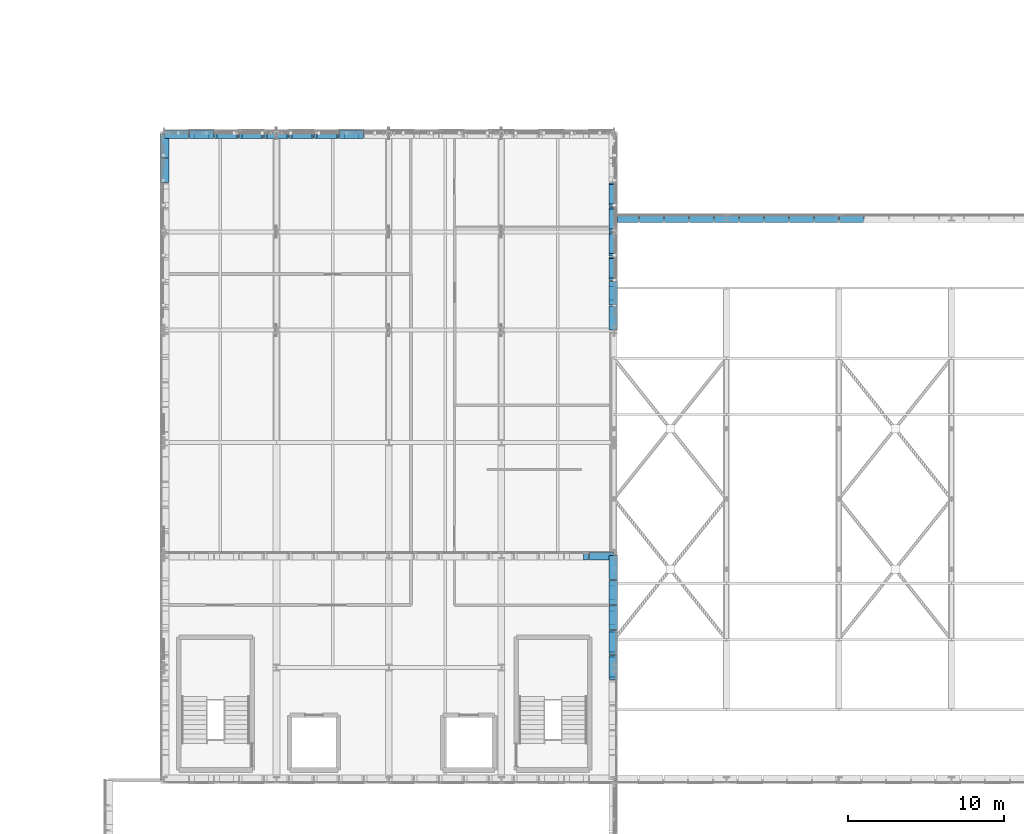
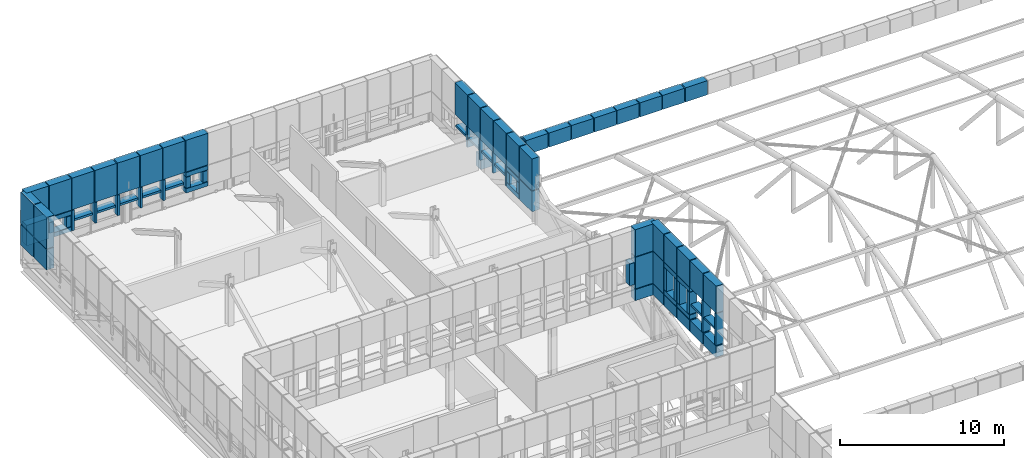
# One storey, part 71 of 96: 87 discrete accessories.
"""IFC4 building model written with IfcOpenShell, lengths in metres."""

from ifc_helpers import new_model, si_unit, direction, frame, origin, origin_2d, place, context, subcontext, project, spatial, rectangle, extrude, material, type_object, element, save


model = new_model("IFC4")

# Units and contexts
model_context = context("Model", 3, precision=1e-05, world=origin(), true_north=direction((0.0, 1.0)))
body_context = subcontext(model_context, "Body", "Model", "MODEL_VIEW")
ifc_project = project(units=[si_unit("LENGTHUNIT", "METRE"), si_unit("AREAUNIT", "SQUARE_METRE"), si_unit("VOLUMEUNIT", "CUBIC_METRE"), si_unit("PLANEANGLEUNIT", "RADIAN"), si_unit("MASSUNIT", "GRAM", prefix="KILO")], contexts=[model_context])

# Site, building, storey
site_placement = place(None, origin())
site = spatial("IfcSite", under=ifc_project, at=site_placement, CompositionType="ELEMENT")
building_placement = place(site_placement, origin())
building = spatial("IfcBuilding", under=site, at=building_placement, Name="Yarey Park Central Fire Station", CompositionType="ELEMENT")
storey_placement = place(building_placement, frame((0.0, 0.0, 14.39990234375)))
storey = spatial("IfcBuildingStorey", under=building, at=storey_placement, Name="L04", CompositionType="ELEMENT", Elevation=14.39990234375)

# Discrete accessories
ifc_material = material(Name="Stainless Steel AISI 316L", Category="steel")
discrete_accessory_type = type_object("IfcDiscreteAccessoryType", Name="ENV_BRK_SS1", PredefinedType="BRACKET", material=ifc_material)
discrete_accessory_1_placement = place(storey_placement, frame((57.550048828125, 87.1875, 0.875), z_axis=(0.0, 0.0, 1.0), x_axis=(1.0, 0.0, 0.0)))
element("IfcDiscreteAccessory", 1, at=discrete_accessory_1_placement, inside=storey, type_object=discrete_accessory_type, Name="BRK_PERF_L04_0469", PredefinedType="BRACKET", context=body_context, shape_type="SweptSolid", body=[
    extrude(rectangle(XDim=0.5400390625, YDim=1.514892578125, at=origin_2d()), origin(), (0.0, 0.0, 1.0), 1.52001953125),
])
discrete_accessory_2_placement = place(storey_placement, frame((57.550048828125, 87.1875, 2.445068359375), z_axis=(0.0, 0.0, 1.0), x_axis=(1.0, 0.0, 0.0)))
element("IfcDiscreteAccessory", 2, at=discrete_accessory_2_placement, inside=storey, type_object=discrete_accessory_type, Name="BRK_PERF_L04_0470", PredefinedType="BRACKET", context=body_context, shape_type="SweptSolid", body=[
    extrude(rectangle(XDim=0.5400390625, YDim=1.514892578125, at=origin_2d()), origin(), (0.0, 0.0, 1.0), 2.35009765625),
])
for number, where, z_axis, x_axis, name in (
    (3, (57.550048828125, 88.762451171875, 0.8701171875), (0.0, 0.0, 1.0), (1.0, 0.0, 0.0), "BRK_PERF_L04_0477"),
    (4, (57.550048828125, 88.762451171875, 2.080078125), (0.0, 0.0, 1.0), (1.0, 0.0, 0.0), "BRK_PERF_L04_0478"),
):
    element("IfcDiscreteAccessory", number, at=place(storey_placement, frame(where, z_axis=z_axis, x_axis=x_axis)), inside=storey, type_object=discrete_accessory_type, Name=name, PredefinedType="BRACKET", context=body_context, shape_type="SweptSolid", body=[
        extrude(rectangle(XDim=0.5400390625, YDim=1.514892578125, at=origin_2d()), origin(), (0.0, 0.0, 1.0), 0.320068359375),
    ])
for number, where, z_axis, x_axis, name in (
    (5, (57.550048828125, 88.175048828125, 1.23486328125), (0.0, 0.0, 1.0), (1.0, 0.0, 0.0), "BRK_PERF_L04_0479"),
    (6, (57.550048828125, 89.35009765625, 1.23486328125), (0.0, 0.0, 1.0), (1.0, 0.0, 0.0), "BRK_PERF_L04_0480"),
):
    element("IfcDiscreteAccessory", number, at=place(storey_placement, frame(where, z_axis=z_axis, x_axis=x_axis)), inside=storey, type_object=discrete_accessory_type, Name=name, PredefinedType="BRACKET", context=body_context, shape_type="SweptSolid", body=[
        extrude(rectangle(XDim=0.5400390625, YDim=0.320068359375, at=origin_2d()), origin(), (0.0, 0.0, 1.0), 0.800048828125),
    ])
discrete_accessory_3_placement = place(storey_placement, frame((57.550048828125, 88.762451171875, 2.445068359375), z_axis=(0.0, 0.0, 1.0), x_axis=(1.0, 0.0, 0.0)))
element("IfcDiscreteAccessory", 7, at=discrete_accessory_3_placement, inside=storey, type_object=discrete_accessory_type, Name="BRK_PERF_L04_0481", PredefinedType="BRACKET", context=body_context, shape_type="SweptSolid", body=[
    extrude(rectangle(XDim=0.5400390625, YDim=1.514892578125, at=origin_2d()), origin(), (0.0, 0.0, 1.0), 2.35009765625),
])
discrete_accessory_4_placement = place(storey_placement, frame((57.550048828125, 89.659912109375, 0.875), z_axis=(0.0, 0.0, 1.0), x_axis=(1.0, 0.0, 0.0)))
element("IfcDiscreteAccessory", 8, at=discrete_accessory_4_placement, inside=storey, type_object=discrete_accessory_type, Name="BRK_PERF_L04_0486", PredefinedType="BRACKET", context=body_context, shape_type="SweptSolid", body=[
    extrude(rectangle(XDim=0.5400390625, YDim=0.159912109375, at=origin_2d()), origin(), (0.0, 0.0, 1.0), 1.52001953125),
])
discrete_accessory_5_placement = place(storey_placement, frame((57.550048828125, 90.33740234375, 1.55517578125), z_axis=(0.0, 0.0, 1.0), x_axis=(1.0, 0.0, 0.0)))
element("IfcDiscreteAccessory", 9, at=discrete_accessory_5_placement, inside=storey, type_object=discrete_accessory_type, Name="BRK_PERF_L04_0487", PredefinedType="BRACKET", context=body_context, shape_type="SweptSolid", body=[
    extrude(rectangle(XDim=0.5400390625, YDim=1.31494140625, at=origin_2d()), origin(), (0.0, 0.0, 1.0), 0.159912109375),
])
discrete_accessory_6_placement = place(storey_placement, frame((57.550048828125, 90.33740234375, 2.445068359375), z_axis=(0.0, 0.0, 1.0), x_axis=(1.0, 0.0, 0.0)))
element("IfcDiscreteAccessory", 10, at=discrete_accessory_6_placement, inside=storey, type_object=discrete_accessory_type, Name="BRK_PERF_L04_0488", PredefinedType="BRACKET", context=body_context, shape_type="SweptSolid", body=[
    extrude(rectangle(XDim=0.5400390625, YDim=1.514892578125, at=origin_2d()), origin(), (0.0, 0.0, 1.0), 2.35009765625),
])
discrete_accessory_7_placement = place(storey_placement, frame((57.550048828125, 91.235107421875, 0.875), z_axis=(0.0, 0.0, 1.0), x_axis=(1.0, 0.0, 0.0)))
element("IfcDiscreteAccessory", 11, at=discrete_accessory_7_placement, inside=storey, type_object=discrete_accessory_type, Name="BRK_PERF_L04_0493", PredefinedType="BRACKET", context=body_context, shape_type="SweptSolid", body=[
    extrude(rectangle(XDim=0.5400390625, YDim=0.159912109375, at=origin_2d()), origin(), (0.0, 0.0, 1.0), 1.52001953125),
])
discrete_accessory_8_placement = place(storey_placement, frame((57.550048828125, 91.91259765625, 1.55517578125), z_axis=(0.0, 0.0, 1.0), x_axis=(1.0, 0.0, 0.0)))
element("IfcDiscreteAccessory", 12, at=discrete_accessory_8_placement, inside=storey, type_object=discrete_accessory_type, Name="BRK_PERF_L04_0494", PredefinedType="BRACKET", context=body_context, shape_type="SweptSolid", body=[
    extrude(rectangle(XDim=0.5400390625, YDim=1.31494140625, at=origin_2d()), origin(), (0.0, 0.0, 1.0), 0.159912109375),
])
discrete_accessory_9_placement = place(storey_placement, frame((57.550048828125, 91.91259765625, 2.445068359375), z_axis=(0.0, 0.0, 1.0), x_axis=(1.0, 0.0, 0.0)))
element("IfcDiscreteAccessory", 13, at=discrete_accessory_9_placement, inside=storey, type_object=discrete_accessory_type, Name="BRK_PERF_L04_0495", PredefinedType="BRACKET", context=body_context, shape_type="SweptSolid", body=[
    extrude(rectangle(XDim=0.5400390625, YDim=1.514892578125, at=origin_2d()), origin(), (0.0, 0.0, 1.0), 2.35009765625),
])
discrete_accessory_10_placement = place(storey_placement, frame((57.550048828125, 92.81005859375, 0.875), z_axis=(0.0, 0.0, 1.0), x_axis=(1.0, 0.0, 0.0)))
element("IfcDiscreteAccessory", 14, at=discrete_accessory_10_placement, inside=storey, type_object=discrete_accessory_type, Name="BRK_PERF_L04_0500", PredefinedType="BRACKET", context=body_context, shape_type="SweptSolid", body=[
    extrude(rectangle(XDim=0.5400390625, YDim=0.159912109375, at=origin_2d()), origin(), (0.0, 0.0, 1.0), 1.52001953125),
])
discrete_accessory_11_placement = place(storey_placement, frame((57.550048828125, 93.487548828125, 1.55517578125), z_axis=(0.0, 0.0, 1.0), x_axis=(1.0, 0.0, 0.0)))
element("IfcDiscreteAccessory", 15, at=discrete_accessory_11_placement, inside=storey, type_object=discrete_accessory_type, Name="BRK_PERF_L04_0501", PredefinedType="BRACKET", context=body_context, shape_type="SweptSolid", body=[
    extrude(rectangle(XDim=0.5400390625, YDim=1.31494140625, at=origin_2d()), origin(), (0.0, 0.0, 1.0), 0.159912109375),
])
discrete_accessory_12_placement = place(storey_placement, frame((57.550048828125, 93.487548828125, 2.445068359375), z_axis=(0.0, 0.0, 1.0), x_axis=(1.0, 0.0, 0.0)))
element("IfcDiscreteAccessory", 16, at=discrete_accessory_12_placement, inside=storey, type_object=discrete_accessory_type, Name="BRK_PERF_L04_0502", PredefinedType="BRACKET", context=body_context, shape_type="SweptSolid", body=[
    extrude(rectangle(XDim=0.5400390625, YDim=1.514892578125, at=origin_2d()), origin(), (0.0, 0.0, 1.0), 2.35009765625),
])
discrete_accessory_13_placement = place(storey_placement, frame((57.550048828125, 94.385009765625, 0.875), z_axis=(0.0, 0.0, 1.0), x_axis=(1.0, 0.0, 0.0)))
element("IfcDiscreteAccessory", 17, at=discrete_accessory_13_placement, inside=storey, type_object=discrete_accessory_type, Name="BRK_PERF_L04_0507", PredefinedType="BRACKET", context=body_context, shape_type="SweptSolid", body=[
    extrude(rectangle(XDim=0.5400390625, YDim=0.159912109375, at=origin_2d()), origin(), (0.0, 0.0, 1.0), 1.52001953125),
])
discrete_accessory_14_placement = place(storey_placement, frame((57.550048828125, 95.0625, 1.55517578125), z_axis=(0.0, 0.0, 1.0), x_axis=(1.0, 0.0, 0.0)))
element("IfcDiscreteAccessory", 18, at=discrete_accessory_14_placement, inside=storey, type_object=discrete_accessory_type, Name="BRK_PERF_L04_0508", PredefinedType="BRACKET", context=body_context, shape_type="SweptSolid", body=[
    extrude(rectangle(XDim=0.5400390625, YDim=1.31494140625, at=origin_2d()), origin(), (0.0, 0.0, 1.0), 0.159912109375),
])
discrete_accessory_15_placement = place(storey_placement, frame((57.550048828125, 95.0625, 2.445068359375), z_axis=(0.0, 0.0, 1.0), x_axis=(1.0, 0.0, 0.0)))
element("IfcDiscreteAccessory", 19, at=discrete_accessory_15_placement, inside=storey, type_object=discrete_accessory_type, Name="BRK_PERF_L04_0509", PredefinedType="BRACKET", context=body_context, shape_type="SweptSolid", body=[
    extrude(rectangle(XDim=0.5400390625, YDim=1.514892578125, at=origin_2d()), origin(), (0.0, 0.0, 1.0), 2.35009765625),
])
discrete_accessory_16_placement = place(storey_placement, frame((28.85009765625, 96.611572265625, 0.875), z_axis=(0.0, 0.0, 1.0), x_axis=(1.0, 0.0, 0.0)))
element("IfcDiscreteAccessory", 20, at=discrete_accessory_16_placement, inside=storey, type_object=discrete_accessory_type, Name="BRK_PERF_L04_0776", PredefinedType="BRACKET", context=body_context, shape_type="SweptSolid", body=[
    extrude(rectangle(XDim=0.5400390625, YDim=1.5322265625, at=origin_2d()), origin(), (0.0, 0.0, 1.0), 1.52001953125),
])
discrete_accessory_17_placement = place(storey_placement, frame((28.85009765625, 96.611572265625, 2.445068359375), z_axis=(0.0, 0.0, 1.0), x_axis=(1.0, 0.0, 0.0)))
element("IfcDiscreteAccessory", 21, at=discrete_accessory_17_placement, inside=storey, type_object=discrete_accessory_type, Name="BRK_PERF_L04_0777", PredefinedType="BRACKET", context=body_context, shape_type="SweptSolid", body=[
    extrude(rectangle(XDim=0.5400390625, YDim=1.5322265625, at=origin_2d()), origin(), (0.0, 0.0, 1.0), 2.35009765625),
])
discrete_accessory_18_placement = place(storey_placement, frame((28.85009765625, 98.203857421875, 0.875), z_axis=(0.0, 0.0, 1.0), x_axis=(1.0, 0.0, 0.0)))
element("IfcDiscreteAccessory", 22, at=discrete_accessory_18_placement, inside=storey, type_object=discrete_accessory_type, Name="BRK_PERF_L04_0781", PredefinedType="BRACKET", context=body_context, shape_type="SweptSolid", body=[
    extrude(rectangle(XDim=0.5400390625, YDim=1.5322265625, at=origin_2d()), origin(), (0.0, 0.0, 1.0), 1.52001953125),
])
discrete_accessory_19_placement = place(storey_placement, frame((28.85009765625, 98.203857421875, 2.445068359375), z_axis=(0.0, 0.0, 1.0), x_axis=(1.0, 0.0, 0.0)))
element("IfcDiscreteAccessory", 23, at=discrete_accessory_19_placement, inside=storey, type_object=discrete_accessory_type, Name="BRK_PERF_L04_0782", PredefinedType="BRACKET", context=body_context, shape_type="SweptSolid", body=[
    extrude(rectangle(XDim=0.5400390625, YDim=1.5322265625, at=origin_2d()), origin(), (0.0, 0.0, 1.0), 2.35009765625),
])
discrete_accessory_20_placement = place(storey_placement, frame((29.60009765625, 98.949951171875, 0.875), z_axis=(0.0, 0.0, 1.0), x_axis=(1.0, 0.0, 0.0)))
element("IfcDiscreteAccessory", 24, at=discrete_accessory_20_placement, inside=storey, type_object=discrete_accessory_type, Name="BRK_PERF_L04_0786", PredefinedType="BRACKET", context=body_context, shape_type="SweptSolid", body=[
    extrude(rectangle(XDim=1.5400390625, YDim=0.5400390625, at=origin_2d()), origin(), (0.0, 0.0, 1.0), 1.52001953125),
])
discrete_accessory_21_placement = place(storey_placement, frame((29.60009765625, 98.949951171875, 2.445068359375), z_axis=(0.0, 0.0, 1.0), x_axis=(1.0, 0.0, 0.0)))
element("IfcDiscreteAccessory", 25, at=discrete_accessory_21_placement, inside=storey, type_object=discrete_accessory_type, Name="BRK_PERF_L04_0787", PredefinedType="BRACKET", context=body_context, shape_type="SweptSolid", body=[
    extrude(rectangle(XDim=1.5400390625, YDim=0.5400390625, at=origin_2d()), origin(), (0.0, 0.0, 1.0), 2.35009765625),
])
for number, where, z_axis, x_axis, name in (
    (26, (31.199951171875, 98.949951171875, 0.8701171875), (0.0, 0.0, 1.0), (1.0, 0.0, 0.0), "BRK_PERF_L04_0794"),
    (27, (31.199951171875, 98.949951171875, 2.080078125), (0.0, 0.0, 1.0), (1.0, 0.0, 0.0), "BRK_PERF_L04_0795"),
):
    element("IfcDiscreteAccessory", number, at=place(storey_placement, frame(where, z_axis=z_axis, x_axis=x_axis)), inside=storey, type_object=discrete_accessory_type, Name=name, PredefinedType="BRACKET", context=body_context, shape_type="SweptSolid", body=[
        extrude(rectangle(XDim=1.5400390625, YDim=0.5400390625, at=origin_2d()), origin(), (0.0, 0.0, 1.0), 0.320068359375),
    ])
for number, where, z_axis, x_axis, name in (
    (28, (30.60009765625, 98.949951171875, 1.23486328125), (0.0, 0.0, 1.0), (1.0, 0.0, 0.0), "BRK_PERF_L04_0796"),
    (29, (31.800048828125, 98.949951171875, 1.23486328125), (0.0, 0.0, 1.0), (1.0, 0.0, 0.0), "BRK_PERF_L04_0797"),
):
    element("IfcDiscreteAccessory", number, at=place(storey_placement, frame(where, z_axis=z_axis, x_axis=x_axis)), inside=storey, type_object=discrete_accessory_type, Name=name, PredefinedType="BRACKET", context=body_context, shape_type="SweptSolid", body=[
        extrude(rectangle(XDim=0.320068359375, YDim=0.5400390625, at=origin_2d()), origin(), (0.0, 0.0, 1.0), 0.800048828125),
    ])
discrete_accessory_22_placement = place(storey_placement, frame((31.199951171875, 98.949951171875, 2.445068359375), z_axis=(0.0, 0.0, 1.0), x_axis=(1.0, 0.0, 0.0)))
element("IfcDiscreteAccessory", 30, at=discrete_accessory_22_placement, inside=storey, type_object=discrete_accessory_type, Name="BRK_PERF_L04_0798", PredefinedType="BRACKET", context=body_context, shape_type="SweptSolid", body=[
    extrude(rectangle(XDim=1.5400390625, YDim=0.5400390625, at=origin_2d()), origin(), (0.0, 0.0, 1.0), 2.35009765625),
])
discrete_accessory_23_placement = place(storey_placement, frame((32.110107421875, 98.949951171875, 0.875), z_axis=(0.0, 0.0, 1.0), x_axis=(1.0, 0.0, 0.0)))
element("IfcDiscreteAccessory", 31, at=discrete_accessory_23_placement, inside=storey, type_object=discrete_accessory_type, Name="BRK_PERF_L04_0803", PredefinedType="BRACKET", context=body_context, shape_type="SweptSolid", body=[
    extrude(rectangle(XDim=0.159912109375, YDim=0.5400390625, at=origin_2d()), origin(), (0.0, 0.0, 1.0), 1.52001953125),
])
discrete_accessory_24_placement = place(storey_placement, frame((32.800048828125, 98.949951171875, 1.55517578125), z_axis=(0.0, 0.0, 1.0), x_axis=(1.0, 0.0, 0.0)))
element("IfcDiscreteAccessory", 32, at=discrete_accessory_24_placement, inside=storey, type_object=discrete_accessory_type, Name="BRK_PERF_L04_0804", PredefinedType="BRACKET", context=body_context, shape_type="SweptSolid", body=[
    extrude(rectangle(XDim=1.340087890625, YDim=0.5400390625, at=origin_2d()), origin(), (0.0, 0.0, 1.0), 0.159912109375),
])
discrete_accessory_25_placement = place(storey_placement, frame((32.800048828125, 98.949951171875, 2.445068359375), z_axis=(0.0, 0.0, 1.0), x_axis=(1.0, 0.0, 0.0)))
element("IfcDiscreteAccessory", 33, at=discrete_accessory_25_placement, inside=storey, type_object=discrete_accessory_type, Name="BRK_PERF_L04_0805", PredefinedType="BRACKET", context=body_context, shape_type="SweptSolid", body=[
    extrude(rectangle(XDim=1.5400390625, YDim=0.5400390625, at=origin_2d()), origin(), (0.0, 0.0, 1.0), 2.35009765625),
])
discrete_accessory_26_placement = place(storey_placement, frame((33.7099609375, 98.949951171875, 0.875), z_axis=(0.0, 0.0, 1.0), x_axis=(1.0, 0.0, 0.0)))
element("IfcDiscreteAccessory", 34, at=discrete_accessory_26_placement, inside=storey, type_object=discrete_accessory_type, Name="BRK_PERF_L04_0810", PredefinedType="BRACKET", context=body_context, shape_type="SweptSolid", body=[
    extrude(rectangle(XDim=0.159912109375, YDim=0.5400390625, at=origin_2d()), origin(), (0.0, 0.0, 1.0), 1.52001953125),
])
discrete_accessory_27_placement = place(storey_placement, frame((34.39990234375, 98.949951171875, 1.55517578125), z_axis=(0.0, 0.0, 1.0), x_axis=(1.0, 0.0, 0.0)))
element("IfcDiscreteAccessory", 35, at=discrete_accessory_27_placement, inside=storey, type_object=discrete_accessory_type, Name="BRK_PERF_L04_0811", PredefinedType="BRACKET", context=body_context, shape_type="SweptSolid", body=[
    extrude(rectangle(XDim=1.340087890625, YDim=0.5400390625, at=origin_2d()), origin(), (0.0, 0.0, 1.0), 0.159912109375),
])
discrete_accessory_28_placement = place(storey_placement, frame((34.39990234375, 98.949951171875, 2.445068359375), z_axis=(0.0, 0.0, 1.0), x_axis=(1.0, 0.0, 0.0)))
element("IfcDiscreteAccessory", 36, at=discrete_accessory_28_placement, inside=storey, type_object=discrete_accessory_type, Name="BRK_PERF_L04_0812", PredefinedType="BRACKET", context=body_context, shape_type="SweptSolid", body=[
    extrude(rectangle(XDim=1.5400390625, YDim=0.5400390625, at=origin_2d()), origin(), (0.0, 0.0, 1.0), 2.35009765625),
])
discrete_accessory_29_placement = place(storey_placement, frame((35.31005859375, 98.949951171875, 0.875), z_axis=(0.0, 0.0, 1.0), x_axis=(1.0, 0.0, 0.0)))
element("IfcDiscreteAccessory", 37, at=discrete_accessory_29_placement, inside=storey, type_object=discrete_accessory_type, Name="BRK_PERF_L04_0817", PredefinedType="BRACKET", context=body_context, shape_type="SweptSolid", body=[
    extrude(rectangle(XDim=0.159912109375, YDim=0.5400390625, at=origin_2d()), origin(), (0.0, 0.0, 1.0), 1.52001953125),
])
discrete_accessory_30_placement = place(storey_placement, frame((36.0, 98.949951171875, 1.55517578125), z_axis=(0.0, 0.0, 1.0), x_axis=(1.0, 0.0, 0.0)))
element("IfcDiscreteAccessory", 38, at=discrete_accessory_30_placement, inside=storey, type_object=discrete_accessory_type, Name="BRK_PERF_L04_0818", PredefinedType="BRACKET", context=body_context, shape_type="SweptSolid", body=[
    extrude(rectangle(XDim=1.340087890625, YDim=0.5400390625, at=origin_2d()), origin(), (0.0, 0.0, 1.0), 0.159912109375),
])
discrete_accessory_31_placement = place(storey_placement, frame((36.0, 98.949951171875, 2.445068359375), z_axis=(0.0, 0.0, 1.0), x_axis=(1.0, 0.0, 0.0)))
element("IfcDiscreteAccessory", 39, at=discrete_accessory_31_placement, inside=storey, type_object=discrete_accessory_type, Name="BRK_PERF_L04_0819", PredefinedType="BRACKET", context=body_context, shape_type="SweptSolid", body=[
    extrude(rectangle(XDim=1.5400390625, YDim=0.5400390625, at=origin_2d()), origin(), (0.0, 0.0, 1.0), 2.35009765625),
])
discrete_accessory_32_placement = place(storey_placement, frame((36.909912109375, 98.949951171875, 0.875), z_axis=(0.0, 0.0, 1.0), x_axis=(1.0, 0.0, 0.0)))
element("IfcDiscreteAccessory", 40, at=discrete_accessory_32_placement, inside=storey, type_object=discrete_accessory_type, Name="BRK_PERF_L04_0824", PredefinedType="BRACKET", context=body_context, shape_type="SweptSolid", body=[
    extrude(rectangle(XDim=0.159912109375, YDim=0.5400390625, at=origin_2d()), origin(), (0.0, 0.0, 1.0), 1.52001953125),
])
discrete_accessory_33_placement = place(storey_placement, frame((37.60009765625, 98.949951171875, 1.55517578125), z_axis=(0.0, 0.0, 1.0), x_axis=(1.0, 0.0, 0.0)))
element("IfcDiscreteAccessory", 41, at=discrete_accessory_33_placement, inside=storey, type_object=discrete_accessory_type, Name="BRK_PERF_L04_0825", PredefinedType="BRACKET", context=body_context, shape_type="SweptSolid", body=[
    extrude(rectangle(XDim=1.340087890625, YDim=0.5400390625, at=origin_2d()), origin(), (0.0, 0.0, 1.0), 0.159912109375),
])
discrete_accessory_34_placement = place(storey_placement, frame((37.60009765625, 98.949951171875, 2.445068359375), z_axis=(0.0, 0.0, 1.0), x_axis=(1.0, 0.0, 0.0)))
element("IfcDiscreteAccessory", 42, at=discrete_accessory_34_placement, inside=storey, type_object=discrete_accessory_type, Name="BRK_PERF_L04_0826", PredefinedType="BRACKET", context=body_context, shape_type="SweptSolid", body=[
    extrude(rectangle(XDim=1.5400390625, YDim=0.5400390625, at=origin_2d()), origin(), (0.0, 0.0, 1.0), 2.35009765625),
])
discrete_accessory_35_placement = place(storey_placement, frame((38.510009765625, 98.949951171875, 0.875), z_axis=(0.0, 0.0, 1.0), x_axis=(1.0, 0.0, 0.0)))
element("IfcDiscreteAccessory", 43, at=discrete_accessory_35_placement, inside=storey, type_object=discrete_accessory_type, Name="BRK_PERF_L04_0831", PredefinedType="BRACKET", context=body_context, shape_type="SweptSolid", body=[
    extrude(rectangle(XDim=0.159912109375, YDim=0.5400390625, at=origin_2d()), origin(), (0.0, 0.0, 1.0), 1.52001953125),
])
discrete_accessory_36_placement = place(storey_placement, frame((39.199951171875, 98.949951171875, 1.55517578125), z_axis=(0.0, 0.0, 1.0), x_axis=(1.0, 0.0, 0.0)))
element("IfcDiscreteAccessory", 44, at=discrete_accessory_36_placement, inside=storey, type_object=discrete_accessory_type, Name="BRK_PERF_L04_0832", PredefinedType="BRACKET", context=body_context, shape_type="SweptSolid", body=[
    extrude(rectangle(XDim=1.340087890625, YDim=0.5400390625, at=origin_2d()), origin(), (0.0, 0.0, 1.0), 0.159912109375),
])
discrete_accessory_37_placement = place(storey_placement, frame((39.199951171875, 98.949951171875, 2.445068359375), z_axis=(0.0, 0.0, 1.0), x_axis=(1.0, 0.0, 0.0)))
element("IfcDiscreteAccessory", 45, at=discrete_accessory_37_placement, inside=storey, type_object=discrete_accessory_type, Name="BRK_PERF_L04_0833", PredefinedType="BRACKET", context=body_context, shape_type="SweptSolid", body=[
    extrude(rectangle(XDim=1.5400390625, YDim=0.5400390625, at=origin_2d()), origin(), (0.0, 0.0, 1.0), 2.35009765625),
])
for number, where, z_axis, x_axis, name in (
    (46, (40.800048828125, 98.949951171875, 0.8701171875), (0.0, 0.0, 1.0), (1.0, 0.0, 0.0), "BRK_PERF_L04_0840"),
    (47, (40.800048828125, 98.949951171875, 2.080078125), (0.0, 0.0, 1.0), (1.0, 0.0, 0.0), "BRK_PERF_L04_0841"),
):
    element("IfcDiscreteAccessory", number, at=place(storey_placement, frame(where, z_axis=z_axis, x_axis=x_axis)), inside=storey, type_object=discrete_accessory_type, Name=name, PredefinedType="BRACKET", context=body_context, shape_type="SweptSolid", body=[
        extrude(rectangle(XDim=1.5400390625, YDim=0.5400390625, at=origin_2d()), origin(), (0.0, 0.0, 1.0), 0.320068359375),
    ])
for number, where, z_axis, x_axis, name in (
    (48, (40.199951171875, 98.949951171875, 1.23486328125), (0.0, 0.0, 1.0), (1.0, 0.0, 0.0), "BRK_PERF_L04_0842"),
    (49, (41.39990234375, 98.949951171875, 1.23486328125), (0.0, 0.0, 1.0), (1.0, 0.0, 0.0), "BRK_PERF_L04_0843"),
):
    element("IfcDiscreteAccessory", number, at=place(storey_placement, frame(where, z_axis=z_axis, x_axis=x_axis)), inside=storey, type_object=discrete_accessory_type, Name=name, PredefinedType="BRACKET", context=body_context, shape_type="SweptSolid", body=[
        extrude(rectangle(XDim=0.320068359375, YDim=0.5400390625, at=origin_2d()), origin(), (0.0, 0.0, 1.0), 0.800048828125),
    ])
discrete_accessory_38_placement = place(storey_placement, frame((40.800048828125, 98.949951171875, 2.445068359375), z_axis=(0.0, 0.0, 1.0), x_axis=(1.0, 0.0, 0.0)))
element("IfcDiscreteAccessory", 50, at=discrete_accessory_38_placement, inside=storey, type_object=discrete_accessory_type, Name="BRK_PERF_L04_0844", PredefinedType="BRACKET", context=body_context, shape_type="SweptSolid", body=[
    extrude(rectangle(XDim=1.5400390625, YDim=0.5400390625, at=origin_2d()), origin(), (0.0, 0.0, 1.0), 2.35009765625),
])
discrete_accessory_39_placement = place(storey_placement, frame((55.800048828125, 71.949951171875, 4.88525390625), z_axis=(0.0, 0.0, 1.0), x_axis=(1.0, 0.0, 0.0)))
element("IfcDiscreteAccessory", 51, at=discrete_accessory_39_placement, inside=storey, type_object=discrete_accessory_type, Name="BRK_PERF_L04_1273", PredefinedType="BRACKET", context=body_context, shape_type="SweptSolid", body=[
    extrude(rectangle(XDim=0.320068359375, YDim=0.5400390625, at=origin_2d()), origin(), (0.0, 0.0, 1.0), 1.6298828125),
])
discrete_accessory_40_placement = place(storey_placement, frame((56.800048828125, 71.949951171875, 3.64501953125), z_axis=(0.0, 0.0, 1.0), x_axis=(1.0, 0.0, 0.0)))
element("IfcDiscreteAccessory", 52, at=discrete_accessory_40_placement, inside=storey, type_object=discrete_accessory_type, Name="BRK_PERF_L04_1275", PredefinedType="BRACKET", context=body_context, shape_type="SweptSolid", body=[
    extrude(rectangle(XDim=1.5400390625, YDim=0.5400390625, at=origin_2d()), origin(), (0.0, 0.0, 1.0), 0.830078125),
])
discrete_accessory_41_placement = place(storey_placement, frame((56.800048828125, 71.949951171875, 4.525146484375), z_axis=(0.0, 0.0, 1.0), x_axis=(1.0, 0.0, 0.0)))
element("IfcDiscreteAccessory", 53, at=discrete_accessory_41_placement, inside=storey, type_object=discrete_accessory_type, Name="BRK_PERF_L04_1276", PredefinedType="BRACKET", context=body_context, shape_type="SweptSolid", body=[
    extrude(rectangle(XDim=1.5400390625, YDim=0.5400390625, at=origin_2d()), origin(), (0.0, 0.0, 1.0), 2.35009765625),
])
discrete_accessory_42_placement = place(storey_placement, frame((56.800048828125, 71.949951171875, 6.925048828125), z_axis=(0.0, 0.0, 1.0), x_axis=(1.0, 0.0, 0.0)))
element("IfcDiscreteAccessory", 54, at=discrete_accessory_42_placement, inside=storey, type_object=discrete_accessory_type, Name="BRK_PERF_L04_1277", PredefinedType="BRACKET", context=body_context, shape_type="SweptSolid", body=[
    extrude(rectangle(XDim=1.5400390625, YDim=0.5400390625, at=origin_2d()), origin(), (0.0, 0.0, 1.0), 2.0),
])
discrete_accessory_43_placement = place(storey_placement, frame((57.550048828125, 64.800048828125, 3.64501953125), z_axis=(0.0, 0.0, 1.0), x_axis=(1.0, 0.0, 0.0)))
element("IfcDiscreteAccessory", 55, at=discrete_accessory_43_placement, inside=storey, type_object=discrete_accessory_type, Name="BRK_PERF_L04_1339", PredefinedType="BRACKET", context=body_context, shape_type="SweptSolid", body=[
    extrude(rectangle(XDim=0.5400390625, YDim=1.5400390625, at=origin_2d()), origin(), (0.0, 0.0, 1.0), 0.830078125),
])
discrete_accessory_44_placement = place(storey_placement, frame((57.550048828125, 64.110107421875, 4.525146484375), z_axis=(0.0, 0.0, 1.0), x_axis=(1.0, 0.0, 0.0)))
element("IfcDiscreteAccessory", 56, at=discrete_accessory_44_placement, inside=storey, type_object=discrete_accessory_type, Name="BRK_PERF_L04_1340", PredefinedType="BRACKET", context=body_context, shape_type="SweptSolid", body=[
    extrude(rectangle(XDim=0.5400390625, YDim=0.159912109375, at=origin_2d()), origin(), (0.0, 0.0, 1.0), 2.35009765625),
])
discrete_accessory_45_placement = place(storey_placement, frame((57.550048828125, 64.800048828125, 5.6201171875), z_axis=(0.0, 0.0, 1.0), x_axis=(1.0, 0.0, 0.0)))
element("IfcDiscreteAccessory", 57, at=discrete_accessory_45_placement, inside=storey, type_object=discrete_accessory_type, Name="BRK_PERF_L04_1341", PredefinedType="BRACKET", context=body_context, shape_type="SweptSolid", body=[
    extrude(rectangle(XDim=0.5400390625, YDim=1.340087890625, at=origin_2d()), origin(), (0.0, 0.0, 1.0), 0.159912109375),
])
discrete_accessory_46_placement = place(storey_placement, frame((57.550048828125, 64.800048828125, 6.925048828125), z_axis=(0.0, 0.0, 1.0), x_axis=(1.0, 0.0, 0.0)))
element("IfcDiscreteAccessory", 58, at=discrete_accessory_46_placement, inside=storey, type_object=discrete_accessory_type, Name="BRK_PERF_L04_1342", PredefinedType="BRACKET", context=body_context, shape_type="SweptSolid", body=[
    extrude(rectangle(XDim=0.5400390625, YDim=1.5400390625, at=origin_2d()), origin(), (0.0, 0.0, 1.0), 2.0),
])
discrete_accessory_47_placement = place(storey_placement, frame((57.550048828125, 66.39990234375, 3.64501953125), z_axis=(0.0, 0.0, 1.0), x_axis=(1.0, 0.0, 0.0)))
element("IfcDiscreteAccessory", 59, at=discrete_accessory_47_placement, inside=storey, type_object=discrete_accessory_type, Name="BRK_PERF_L04_1343", PredefinedType="BRACKET", context=body_context, shape_type="SweptSolid", body=[
    extrude(rectangle(XDim=0.5400390625, YDim=1.5400390625, at=origin_2d()), origin(), (0.0, 0.0, 1.0), 0.830078125),
])
discrete_accessory_48_placement = place(storey_placement, frame((57.550048828125, 65.7099609375, 4.525146484375), z_axis=(0.0, 0.0, 1.0), x_axis=(1.0, 0.0, 0.0)))
element("IfcDiscreteAccessory", 60, at=discrete_accessory_48_placement, inside=storey, type_object=discrete_accessory_type, Name="BRK_PERF_L04_1344", PredefinedType="BRACKET", context=body_context, shape_type="SweptSolid", body=[
    extrude(rectangle(XDim=0.5400390625, YDim=0.159912109375, at=origin_2d()), origin(), (0.0, 0.0, 1.0), 2.35009765625),
])
discrete_accessory_49_placement = place(storey_placement, frame((57.550048828125, 66.39990234375, 5.6201171875), z_axis=(0.0, 0.0, 1.0), x_axis=(1.0, 0.0, 0.0)))
element("IfcDiscreteAccessory", 61, at=discrete_accessory_49_placement, inside=storey, type_object=discrete_accessory_type, Name="BRK_PERF_L04_1345", PredefinedType="BRACKET", context=body_context, shape_type="SweptSolid", body=[
    extrude(rectangle(XDim=0.5400390625, YDim=1.340087890625, at=origin_2d()), origin(), (0.0, 0.0, 1.0), 0.159912109375),
])
discrete_accessory_50_placement = place(storey_placement, frame((57.550048828125, 66.39990234375, 6.925048828125), z_axis=(0.0, 0.0, 1.0), x_axis=(1.0, 0.0, 0.0)))
element("IfcDiscreteAccessory", 62, at=discrete_accessory_50_placement, inside=storey, type_object=discrete_accessory_type, Name="BRK_PERF_L04_1346", PredefinedType="BRACKET", context=body_context, shape_type="SweptSolid", body=[
    extrude(rectangle(XDim=0.5400390625, YDim=1.5400390625, at=origin_2d()), origin(), (0.0, 0.0, 1.0), 2.0),
])
discrete_accessory_51_placement = place(storey_placement, frame((57.550048828125, 68.0, 3.64501953125), z_axis=(0.0, 0.0, 1.0), x_axis=(1.0, 0.0, 0.0)))
element("IfcDiscreteAccessory", 63, at=discrete_accessory_51_placement, inside=storey, type_object=discrete_accessory_type, Name="BRK_PERF_L04_1347", PredefinedType="BRACKET", context=body_context, shape_type="SweptSolid", body=[
    extrude(rectangle(XDim=0.5400390625, YDim=1.5400390625, at=origin_2d()), origin(), (0.0, 0.0, 1.0), 0.830078125),
])
for number, where, z_axis, x_axis, name in (
    (64, (57.550048828125, 68.0, 4.52001953125), (0.0, 0.0, 1.0), (1.0, 0.0, 0.0), "BRK_PERF_L04_1348"),
    (65, (57.550048828125, 68.0, 6.56005859375), (0.0, 0.0, 1.0), (1.0, 0.0, 0.0), "BRK_PERF_L04_1349"),
):
    element("IfcDiscreteAccessory", number, at=place(storey_placement, frame(where, z_axis=z_axis, x_axis=x_axis)), inside=storey, type_object=discrete_accessory_type, Name=name, PredefinedType="BRACKET", context=body_context, shape_type="SweptSolid", body=[
        extrude(rectangle(XDim=0.5400390625, YDim=1.5400390625, at=origin_2d()), origin(), (0.0, 0.0, 1.0), 0.320068359375),
    ])
for number, where, z_axis, x_axis, name in (
    (66, (57.550048828125, 67.39990234375, 4.88525390625), (0.0, 0.0, 1.0), (1.0, 0.0, 0.0), "BRK_PERF_L04_1350"),
    (67, (57.550048828125, 68.60009765625, 4.88525390625), (0.0, 0.0, 1.0), (1.0, 0.0, 0.0), "BRK_PERF_L04_1351"),
):
    element("IfcDiscreteAccessory", number, at=place(storey_placement, frame(where, z_axis=z_axis, x_axis=x_axis)), inside=storey, type_object=discrete_accessory_type, Name=name, PredefinedType="BRACKET", context=body_context, shape_type="SweptSolid", body=[
        extrude(rectangle(XDim=0.5400390625, YDim=0.320068359375, at=origin_2d()), origin(), (0.0, 0.0, 1.0), 1.6298828125),
    ])
discrete_accessory_52_placement = place(storey_placement, frame((57.550048828125, 68.0, 6.925048828125), z_axis=(0.0, 0.0, 1.0), x_axis=(1.0, 0.0, 0.0)))
element("IfcDiscreteAccessory", 68, at=discrete_accessory_52_placement, inside=storey, type_object=discrete_accessory_type, Name="BRK_PERF_L04_1352", PredefinedType="BRACKET", context=body_context, shape_type="SweptSolid", body=[
    extrude(rectangle(XDim=0.5400390625, YDim=1.5400390625, at=origin_2d()), origin(), (0.0, 0.0, 1.0), 2.0),
])
discrete_accessory_53_placement = place(storey_placement, frame((57.550048828125, 69.60009765625, 3.64501953125), z_axis=(0.0, 0.0, 1.0), x_axis=(1.0, 0.0, 0.0)))
element("IfcDiscreteAccessory", 69, at=discrete_accessory_53_placement, inside=storey, type_object=discrete_accessory_type, Name="BRK_PERF_L04_1353", PredefinedType="BRACKET", context=body_context, shape_type="SweptSolid", body=[
    extrude(rectangle(XDim=0.5400390625, YDim=1.5400390625, at=origin_2d()), origin(), (0.0, 0.0, 1.0), 0.830078125),
])
for number, where, z_axis, x_axis, name in (
    (70, (57.550048828125, 69.60009765625, 4.52001953125), (0.0, 0.0, 1.0), (1.0, 0.0, 0.0), "BRK_PERF_L04_1354"),
    (71, (57.550048828125, 69.60009765625, 6.56005859375), (0.0, 0.0, 1.0), (1.0, 0.0, 0.0), "BRK_PERF_L04_1355"),
):
    element("IfcDiscreteAccessory", number, at=place(storey_placement, frame(where, z_axis=z_axis, x_axis=x_axis)), inside=storey, type_object=discrete_accessory_type, Name=name, PredefinedType="BRACKET", context=body_context, shape_type="SweptSolid", body=[
        extrude(rectangle(XDim=0.5400390625, YDim=1.5400390625, at=origin_2d()), origin(), (0.0, 0.0, 1.0), 0.320068359375),
    ])
for number, where, z_axis, x_axis, name in (
    (72, (57.550048828125, 69.0, 4.88525390625), (0.0, 0.0, 1.0), (1.0, 0.0, 0.0), "BRK_PERF_L04_1356"),
    (73, (57.550048828125, 70.199951171875, 4.88525390625), (0.0, 0.0, 1.0), (1.0, 0.0, 0.0), "BRK_PERF_L04_1357"),
):
    element("IfcDiscreteAccessory", number, at=place(storey_placement, frame(where, z_axis=z_axis, x_axis=x_axis)), inside=storey, type_object=discrete_accessory_type, Name=name, PredefinedType="BRACKET", context=body_context, shape_type="SweptSolid", body=[
        extrude(rectangle(XDim=0.5400390625, YDim=0.320068359375, at=origin_2d()), origin(), (0.0, 0.0, 1.0), 1.6298828125),
    ])
discrete_accessory_54_placement = place(storey_placement, frame((57.550048828125, 69.60009765625, 6.925048828125), z_axis=(0.0, 0.0, 1.0), x_axis=(1.0, 0.0, 0.0)))
element("IfcDiscreteAccessory", 74, at=discrete_accessory_54_placement, inside=storey, type_object=discrete_accessory_type, Name="BRK_PERF_L04_1358", PredefinedType="BRACKET", context=body_context, shape_type="SweptSolid", body=[
    extrude(rectangle(XDim=0.5400390625, YDim=1.5400390625, at=origin_2d()), origin(), (0.0, 0.0, 1.0), 2.0),
])
discrete_accessory_55_placement = place(storey_placement, frame((57.550048828125, 71.199951171875, 3.64501953125), z_axis=(0.0, 0.0, 1.0), x_axis=(1.0, 0.0, 0.0)))
element("IfcDiscreteAccessory", 75, at=discrete_accessory_55_placement, inside=storey, type_object=discrete_accessory_type, Name="BRK_PERF_L04_1359", PredefinedType="BRACKET", context=body_context, shape_type="SweptSolid", body=[
    extrude(rectangle(XDim=0.5400390625, YDim=1.5400390625, at=origin_2d()), origin(), (0.0, 0.0, 1.0), 0.830078125),
])
discrete_accessory_56_placement = place(storey_placement, frame((57.550048828125, 71.199951171875, 4.525146484375), z_axis=(0.0, 0.0, 1.0), x_axis=(1.0, 0.0, 0.0)))
element("IfcDiscreteAccessory", 76, at=discrete_accessory_56_placement, inside=storey, type_object=discrete_accessory_type, Name="BRK_PERF_L04_1360", PredefinedType="BRACKET", context=body_context, shape_type="SweptSolid", body=[
    extrude(rectangle(XDim=0.5400390625, YDim=1.5400390625, at=origin_2d()), origin(), (0.0, 0.0, 1.0), 2.35009765625),
])
discrete_accessory_57_placement = place(storey_placement, frame((57.550048828125, 71.199951171875, 6.925048828125), z_axis=(0.0, 0.0, 1.0), x_axis=(1.0, 0.0, 0.0)))
element("IfcDiscreteAccessory", 77, at=discrete_accessory_57_placement, inside=storey, type_object=discrete_accessory_type, Name="BRK_PERF_L04_1361", PredefinedType="BRACKET", context=body_context, shape_type="SweptSolid", body=[
    extrude(rectangle(XDim=0.5400390625, YDim=1.5400390625, at=origin_2d()), origin(), (0.0, 0.0, 1.0), 2.0),
])
for number, where, z_axis, x_axis, name in (
    (78, (58.39990234375, 93.550048828125, -0.27490234375), (0.0, 0.0, 1.0), (1.0, 0.0, 0.0), "BRK_PERF_L04_1568"),
    (79, (60.0, 93.550048828125, -0.27490234375), (0.0, 0.0, 1.0), (1.0, 0.0, 0.0), "BRK_PERF_L04_1571"),
    (80, (61.60009765625, 93.550048828125, -0.27490234375), (0.0, 0.0, 1.0), (1.0, 0.0, 0.0), "BRK_PERF_L04_1577"),
    (81, (63.199951171875, 93.550048828125, -0.27490234375), (0.0, 0.0, 1.0), (1.0, 0.0, 0.0), "BRK_PERF_L04_1581"),
    (82, (64.800048828125, 93.550048828125, -0.27490234375), (0.0, 0.0, 1.0), (1.0, 0.0, 0.0), "BRK_PERF_L04_1585"),
    (83, (66.39990234375, 93.550048828125, -0.27490234375), (0.0, 0.0, 1.0), (1.0, 0.0, 0.0), "BRK_PERF_L04_1589"),
    (84, (68.0, 93.550048828125, -0.27490234375), (0.0, 0.0, 1.0), (1.0, 0.0, 0.0), "BRK_PERF_L04_1593"),
    (85, (69.60009765625, 93.550048828125, -0.27490234375), (0.0, 0.0, 1.0), (1.0, 0.0, 0.0), "BRK_PERF_L04_1599"),
    (86, (71.199951171875, 93.550048828125, -0.27490234375), (0.0, 0.0, 1.0), (1.0, 0.0, 0.0), "BRK_PERF_L04_1602"),
    (87, (72.800048828125, 93.550048828125, -0.27490234375), (0.0, 0.0, 1.0), (1.0, 0.0, 0.0), "BRK_PERF_L04_1605"),
):
    element("IfcDiscreteAccessory", number, at=place(storey_placement, frame(where, z_axis=z_axis, x_axis=x_axis)), inside=storey, type_object=discrete_accessory_type, Name=name, PredefinedType="BRACKET", context=body_context, shape_type="SweptSolid", body=[
        extrude(rectangle(XDim=1.5400390625, YDim=0.5400390625, at=origin_2d()), origin(), (0.0, 0.0, 1.0), 1.050048828125),
    ])

save(model, "model.ifc")
